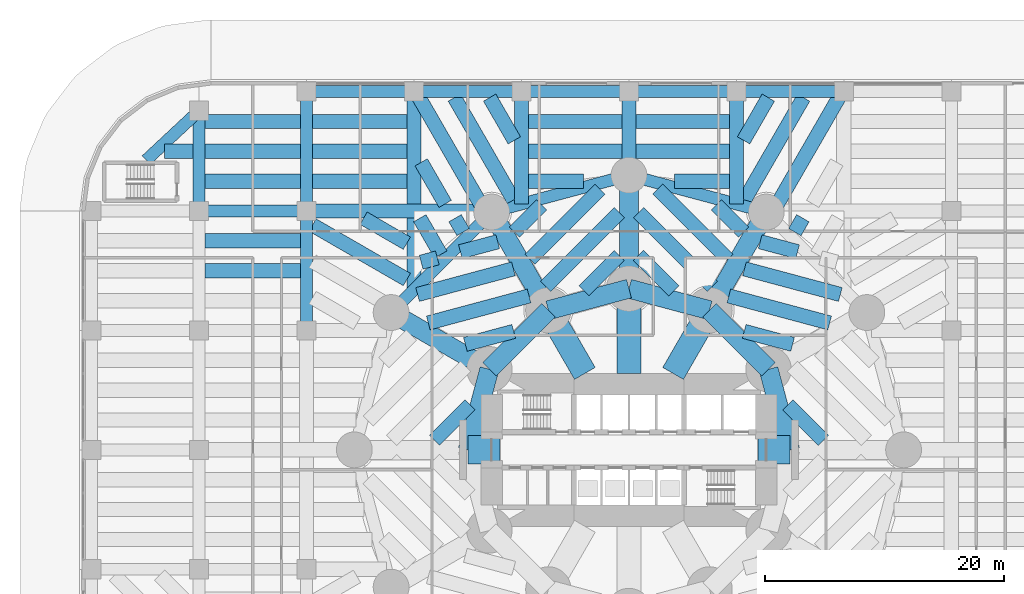
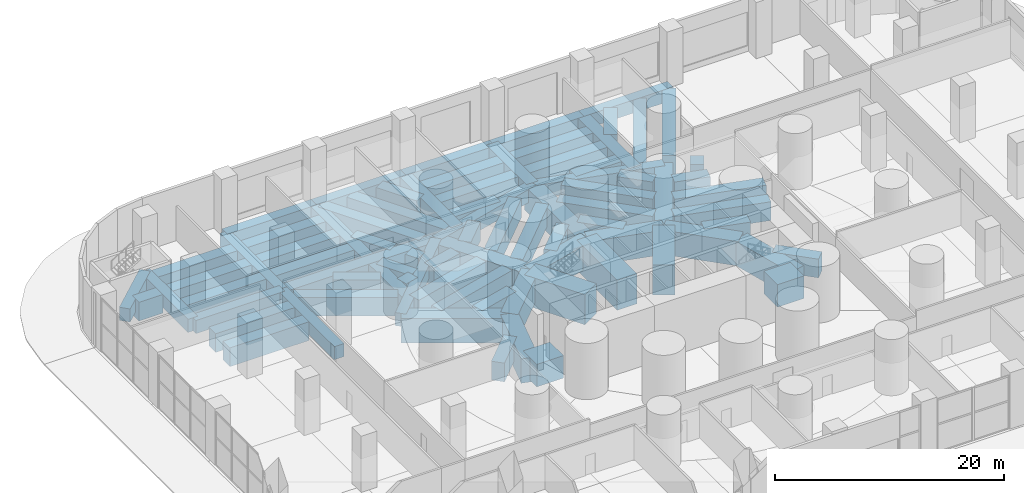
# One storey, part 7 of 20: 79 beams.
"""IFC4 building model written with IfcOpenShell, lengths in metres."""

from ifc_helpers import new_model, si_unit, direction, frame, origin, origin_2d, place, context, subcontext, project, spatial, rectangle, extrude, material, material_profile, profile_set, type_object, element, save


model = new_model("IFC4")

# Units and contexts
model_context = context("Model", 3, precision=1e-05, world=origin(), true_north=direction((0.0, 1.0)))
body_context = subcontext(model_context, "Body", "Model", "MODEL_VIEW")
ifc_project = project(units=[si_unit("LENGTHUNIT", "METRE"), si_unit("AREAUNIT", "SQUARE_METRE"), si_unit("VOLUMEUNIT", "CUBIC_METRE"), si_unit("PLANEANGLEUNIT", "RADIAN"), si_unit("MASSUNIT", "GRAM", prefix="KILO")], contexts=[model_context])

# Site, building, storey
site_placement = place(None, origin())
site = spatial("IfcSite", under=ifc_project, at=site_placement, CompositionType="ELEMENT")
building_placement = place(site_placement, origin())
building = spatial("IfcBuilding", under=site, at=building_placement, Name="Qaws Media Tower", CompositionType="ELEMENT")
storey_placement = place(building_placement, origin())
storey = spatial("IfcBuildingStorey", under=building, at=storey_placement, Name="L00", CompositionType="ELEMENT", Elevation=0.0)

# Beams
ifc_material_1 = material(Name="Concrete C60/75", Category="concrete")
ifc_material_profile_1 = material_profile(ifc_material_1, rectangle(XDim=2.0, YDim=3.199951171875, at=origin_2d()), Name="RC 2000x3200")
ifc_profile_set_1 = profile_set([ifc_material_profile_1], Name="Concrete C60/75")
beam_type_1 = type_object("IfcBeamType", Name="Podium core beam RC 2000x3200", PredefinedType="BEAM", material=ifc_profile_set_1)
beam_1_placement = place(storey_placement, frame((63.695068359375, 56.39990234375, -1.89990234375), z_axis=(0.49998532359, 0.866033877048, 0.0), x_axis=(-0.866033877048, 0.49998532359, 0.0)))
element("IfcBeam", 1, at=beam_1_placement, inside=storey, type_object=beam_type_1, Name="PB14 beam CORE-I03", PredefinedType="BEAM", context=body_context, shape_type="SweptSolid", body=[
    extrude(rectangle(XDim=2.0, YDim=3.199951171875, at=origin_2d()), origin(), (0.0, 0.0, 1.0), 6.110107421875),
])
beam_2_placement = place(storey_placement, frame((60.0, 56.39990234375, -1.89990234375), z_axis=(0.0, 1.0, 0.0), x_axis=(-1.0, 0.0, 0.0)))
element("IfcBeam", 2, at=beam_2_placement, inside=storey, type_object=beam_type_1, Name="PB14 beam CORE-I04", PredefinedType="BEAM", context=body_context, shape_type="SweptSolid", body=[
    extrude(rectangle(XDim=2.0, YDim=3.199951171875, at=origin_2d()), origin(), (0.0, 0.0, 1.0), 7.10009765625),
])
beam_3_placement = place(storey_placement, frame((56.304931640625, 56.39990234375, -1.89990234375), z_axis=(-0.49998532359, 0.866033877048, 0.0), x_axis=(-0.866033877048, -0.49998532359, 0.0)))
element("IfcBeam", 3, at=beam_3_placement, inside=storey, type_object=beam_type_1, Name="PB14 beam CORE-I05", PredefinedType="BEAM", context=body_context, shape_type="SweptSolid", body=[
    extrude(rectangle(XDim=2.0, YDim=3.199951171875, at=origin_2d()), origin(), (0.0, 0.0, 1.0), 6.110107421875),
])
ifc_material_2 = material(Name="Concrete C60/75", Category="concrete")
ifc_material_profile_2 = material_profile(ifc_material_2, rectangle(XDim=2.39990234375, YDim=2.39990234375, at=origin_2d()), Name="RC 2400x2400")
ifc_profile_set_2 = profile_set([ifc_material_profile_2], Name="Concrete C60/75")
beam_type_2 = type_object("IfcBeamType", Name="Podium core stub beam RC 2400x2400", PredefinedType="BEAM", material=ifc_profile_set_2)
for number, where, z_axis, x_axis, name in (
    (4, (70.800048828125, 50.0, -1.5), (1.0, 0.0, 0.0), (0.0, 1.0, 0.0), "PB15 beam CORE-I01"),
    (5, (49.199951171875, 50.0, -1.5), (-1.0, 0.0, 0.0), (0.0, -1.0, 0.0), "PB15 beam CORE-I07"),
):
    element("IfcBeam", number, at=place(storey_placement, frame(where, z_axis=z_axis, x_axis=x_axis)), inside=storey, type_object=beam_type_2, Name=name, PredefinedType="BEAM", context=body_context, shape_type="SweptSolid", body=[
        extrude(rectangle(XDim=2.39990234375, YDim=2.39990234375, at=origin_2d()), origin(), (0.0, 0.0, 1.0), 2.699951171875),
    ])
ifc_material_3 = material(Name="Concrete C60/75", Category="concrete")
ifc_material_profile_3 = material_profile(ifc_material_3, rectangle(XDim=1.0, YDim=1.39990234375, at=origin_2d()), Name="RC 1000x1400")
ifc_profile_set_3 = profile_set([ifc_material_profile_3], Name="Concrete C60/75")
beam_type_3 = type_object("IfcBeamType", Name="Podium edge beam RC 1000x1400", PredefinedType="BEAM", material=ifc_profile_set_3)
for number, where, z_axis, x_axis, name in (
    (6, (71.5, 69.918701171875, -1.0), (-0.965928280645, 0.258809885148, 0.0), (-0.258809885148, -0.965928280645, 0.0), "PB3 beam M03-M04"),
    (7, (60.0, 73.0, -1.0), (-0.965928280645, -0.258809885148, 0.0), (0.258809885148, -0.965928280645, 0.0), "PB3 beam M04-M05"),
    (8, (48.5, 69.918701171875, -1.0), (-0.707106781187, -0.707106781187, 0.0), (0.707106781187, -0.707106781187, 0.0), "PB3 beam M05-M06"),
):
    element("IfcBeam", number, at=place(storey_placement, frame(where, z_axis=z_axis, x_axis=x_axis)), inside=storey, type_object=beam_type_3, Name=name, PredefinedType="BEAM", context=body_context, shape_type="SweptSolid", body=[
        extrude(rectangle(XDim=1.0, YDim=1.39990234375, at=origin_2d()), origin(), (0.0, 0.0, 1.0), 11.90576171875),
    ])
ifc_material_4 = material(Name="Concrete C60/75", Category="concrete")
ifc_material_profile_4 = material_profile(ifc_material_4, rectangle(XDim=1.0, YDim=1.39990234375, at=origin_2d()), Name="RC 1000x1400")
ifc_profile_set_4 = profile_set([ifc_material_profile_4], Name="Concrete C60/75")
beam_type_4 = type_object("IfcBeamType", Name="Podium girder RC 1000x1400", PredefinedType="BEAM", material=ifc_profile_set_4)
for number, where, z_axis, x_axis, name in (
    (9, (24.0, 70.0, -1.0), (1.0, 0.0, 0.0), (0.0, 1.0, 0.0), "PB5 beam 2-3/F"),
    (10, (33.0, 80.0, -1.0), (1.0, 0.0, 0.0), (0.0, 1.0, 0.0), "PB5 beam 3-4/G"),
    (11, (42.0, 80.0, -1.0), (1.0, 0.0, 0.0), (0.0, 1.0, 0.0), "PB5 beam 4-5/G"),
    (12, (51.0, 80.0, -1.0), (1.0, 0.0, 0.0), (0.0, 1.0, 0.0), "PB5 beam 5-6/G"),
    (13, (60.0, 80.0, -1.0), (1.0, 0.0, 0.0), (0.0, 1.0, 0.0), "PB5 beam 6-7/G"),
    (14, (69.0, 80.0, -1.0), (1.0, 0.0, 0.0), (0.0, 1.0, 0.0), "PB5 beam 7-8/G"),
):
    element("IfcBeam", number, at=place(storey_placement, frame(where, z_axis=z_axis, x_axis=x_axis)), inside=storey, type_object=beam_type_4, Name=name, PredefinedType="BEAM", context=body_context, shape_type="SweptSolid", body=[
        extrude(rectangle(XDim=1.0, YDim=1.39990234375, at=origin_2d()), origin(), (0.0, 0.0, 1.0), 9.0),
    ])
beam_4_placement = place(storey_placement, frame((24.0, 70.0, -1.0), z_axis=(0.0, 1.0, 0.0), x_axis=(-1.0, 0.0, 0.0)))
element("IfcBeam", 15, at=beam_4_placement, inside=storey, type_object=beam_type_4, Name="PB5 beam 2/F-G", PredefinedType="BEAM", context=body_context, shape_type="SweptSolid", body=[
    extrude(rectangle(XDim=1.0, YDim=1.39990234375, at=origin_2d()), origin(), (0.0, 0.0, 1.0), 8.39990234375),
])
for number, where, z_axis, x_axis, name in (
    (16, (33.0, 60.0, -1.0), (0.0, 1.0, 0.0), (-1.0, 0.0, 0.0), "PB5 beam 3/E-F"),
    (17, (33.0, 70.0, -1.0), (0.0, 1.0, 0.0), (-1.0, 0.0, 0.0), "PB5 beam 3/F-G"),
):
    element("IfcBeam", number, at=place(storey_placement, frame(where, z_axis=z_axis, x_axis=x_axis)), inside=storey, type_object=beam_type_4, Name=name, PredefinedType="BEAM", context=body_context, shape_type="SweptSolid", body=[
        extrude(rectangle(XDim=1.0, YDim=1.39990234375, at=origin_2d()), origin(), (0.0, 0.0, 1.0), 10.0),
    ])
beam_5_placement = place(storey_placement, frame((19.5732421875, 74.268310546875, -1.0), z_axis=(0.731059290527, 0.682313940745, 0.0), x_axis=(-0.682313940745, 0.731059290527, 0.0)))
element("IfcBeam", 18, at=beam_5_placement, inside=storey, type_object=beam_type_4, Name="PB5 beam S3-2/G", PredefinedType="BEAM", context=body_context, shape_type="SweptSolid", body=[
    extrude(rectangle(XDim=1.0, YDim=1.39990234375, at=origin_2d()), origin(), (0.0, 0.0, 1.0), 6.05517578125),
])
ifc_material_5 = material(Name="Concrete C60/75", Category="concrete")
ifc_material_profile_5 = material_profile(ifc_material_5, rectangle(XDim=1.199951171875, YDim=2.0, at=origin_2d()), Name="RC 1200x2000")
ifc_profile_set_5 = profile_set([ifc_material_profile_5], Name="Concrete C60/75")
beam_type_5 = type_object("IfcBeamType", Name="Podium long trimmer beam RC 1200x2000", PredefinedType="BEAM", material=ifc_profile_set_5)
beam_6_placement = place(storey_placement, frame((33.0, 70.0, -1.300048828125), z_axis=(1.0, 0.0, 0.0), x_axis=(0.0, 1.0, 0.0)))
element("IfcBeam", 19, at=beam_6_placement, inside=storey, type_object=beam_type_5, Name="PB11 beam 3/F to the tower ring", PredefinedType="BEAM", context=body_context, shape_type="SweptSolid", body=[
    extrude(rectangle(XDim=1.199951171875, YDim=2.0, at=origin_2d()), origin(), (0.0, 0.0, 1.0), 15.803955078125),
])
beam_7_placement = place(storey_placement, frame((42.0, 80.0, -1.300048828125), z_axis=(0.0, -1.0, 0.0), x_axis=(1.0, 0.0, 0.0)))
element("IfcBeam", 20, at=beam_7_placement, inside=storey, type_object=beam_type_5, Name="PB11 beam 4/G to the tower ring", PredefinedType="BEAM", context=body_context, shape_type="SweptSolid", body=[
    extrude(rectangle(XDim=1.199951171875, YDim=2.0, at=origin_2d()), origin(), (0.0, 0.0, 1.0), 16.581298828125),
])
ifc_material_6 = material(Name="Concrete C60/75", Category="concrete")
ifc_material_profile_6 = material_profile(ifc_material_6, rectangle(XDim=1.199951171875, YDim=2.0, at=origin_2d()), Name="RC 1200x2000")
ifc_profile_set_6 = profile_set([ifc_material_profile_6], Name="Concrete C60/75")
beam_type_6 = type_object("IfcBeamType", Name="Podium secondary beam RC 1200x2000", PredefinedType="BEAM", material=ifc_profile_set_6)
beam_8_placement = place(storey_placement, frame((21.08984375, 75.0, -1.300048828125), z_axis=(1.0, 0.0, 0.0), x_axis=(0.0, 1.0, 0.0)))
element("IfcBeam", 21, at=beam_8_placement, inside=storey, type_object=beam_type_6, Name="PB7 beam bay 1F line 1", PredefinedType="BEAM", context=body_context, shape_type="SweptSolid", body=[
    extrude(rectangle(XDim=1.199951171875, YDim=2.0, at=origin_2d()), origin(), (0.0, 0.0, 1.0), 2.41015625),
])
for number, where, z_axis, x_axis, name in (
    (22, (24.5, 65.0, -1.300048828125), (1.0, 0.0, 0.0), (0.0, 1.0, 0.0), "PB7 beam bay 2E line 2"),
    (23, (24.5, 67.5, -1.300048828125), (1.0, 0.0, 0.0), (0.0, 1.0, 0.0), "PB7 beam bay 2E line 3"),
    (24, (24.5, 72.5, -1.300048828125), (1.0, 0.0, 0.0), (0.0, 1.0, 0.0), "PB7 beam bay 2F line 1"),
    (25, (24.5, 75.0, -1.300048828125), (1.0, 0.0, 0.0), (0.0, 1.0, 0.0), "PB7 beam bay 2F line 2"),
    (26, (24.5, 77.5, -1.300048828125), (1.0, 0.0, 0.0), (0.0, 1.0, 0.0), "PB7 beam bay 2F line 3"),
):
    element("IfcBeam", number, at=place(storey_placement, frame(where, z_axis=z_axis, x_axis=x_axis)), inside=storey, type_object=beam_type_6, Name=name, PredefinedType="BEAM", context=body_context, shape_type="SweptSolid", body=[
        extrude(rectangle(XDim=1.199951171875, YDim=2.0, at=origin_2d()), origin(), (0.0, 0.0, 1.0), 8.0),
    ])
beam_9_placement = place(storey_placement, frame((41.39990234375, 67.30712890625, -1.300048828125), z_axis=(-0.866023369196, 0.500003523994, 0.0), x_axis=(-0.500003523994, -0.866023369196, 0.0)))
element("IfcBeam", 27, at=beam_9_placement, inside=storey, type_object=beam_type_6, Name="PB7 beam bay 3E line 1", PredefinedType="BEAM", context=body_context, shape_type="SweptSolid", body=[
    extrude(rectangle(XDim=1.199951171875, YDim=2.0, at=origin_2d()), origin(), (0.0, 0.0, 1.0), 4.185546875),
])
beam_10_placement = place(storey_placement, frame((41.39990234375, 64.26806640625, -1.300048828125), z_axis=(-0.866024244995, 0.500002007077, 0.0), x_axis=(-0.500002007077, -0.866024244995, 0.0)))
element("IfcBeam", 28, at=beam_10_placement, inside=storey, type_object=beam_type_6, Name="PB7 beam bay 3E line 2", PredefinedType="BEAM", context=body_context, shape_type="SweptSolid", body=[
    extrude(rectangle(XDim=1.199951171875, YDim=2.0, at=origin_2d()), origin(), (0.0, 0.0, 1.0), 9.1220703125),
])
for number, where, z_axis, x_axis, name in (
    (29, (33.5, 72.5, -1.300048828125), (1.0, 0.0, 0.0), (0.0, 1.0, 0.0), "PB7 beam bay 3F line 1"),
    (30, (33.5, 75.0, -1.300048828125), (1.0, 0.0, 0.0), (0.0, 1.0, 0.0), "PB7 beam bay 3F line 2"),
    (31, (33.5, 77.5, -1.300048828125), (1.0, 0.0, 0.0), (0.0, 1.0, 0.0), "PB7 beam bay 3F line 3"),
):
    element("IfcBeam", number, at=place(storey_placement, frame(where, z_axis=z_axis, x_axis=x_axis)), inside=storey, type_object=beam_type_6, Name=name, PredefinedType="BEAM", context=body_context, shape_type="SweptSolid", body=[
        extrude(rectangle(XDim=1.199951171875, YDim=2.0, at=origin_2d()), origin(), (0.0, 0.0, 1.0), 7.89990234375),
    ])
beam_11_placement = place(storey_placement, frame((46.109619140625, 68.235107421875, -1.300048828125), z_axis=(-0.500062873969, 0.865989100438, 0.0), x_axis=(-0.865989100438, -0.500062873969, 0.0)))
element("IfcBeam", 32, at=beam_11_placement, inside=storey, type_object=beam_type_6, Name="PB7 beam bay 4E line 1", PredefinedType="BEAM", context=body_context, shape_type="SweptSolid", body=[
    extrude(rectangle(XDim=1.199951171875, YDim=2.0, at=origin_2d()), origin(), (0.0, 0.0, 1.0), 1.344970703125),
])
beam_12_placement = place(storey_placement, frame((44.236328125, 66.362060546875, -1.300048828125), z_axis=(-0.500001597329, 0.866024481564, 0.0), x_axis=(-0.866024481564, -0.500001597329, 0.0)))
element("IfcBeam", 33, at=beam_12_placement, inside=storey, type_object=beam_type_6, Name="PB7 beam bay 4E line 2", PredefinedType="BEAM", context=body_context, shape_type="SweptSolid", body=[
    extrude(rectangle(XDim=1.199951171875, YDim=2.0, at=origin_2d()), origin(), (0.0, 0.0, 1.0), 3.5078125),
])
beam_13_placement = place(storey_placement, frame((50.39990234375, 75.921630859375, -1.300048828125), z_axis=(-0.499990122378, 0.866031106557, 0.0), x_axis=(-0.866031106557, -0.499990122378, 0.0)))
element("IfcBeam", 34, at=beam_13_placement, inside=storey, type_object=beam_type_6, Name="PB7 beam bay 4F line 1", PredefinedType="BEAM", context=body_context, shape_type="SweptSolid", body=[
    extrude(rectangle(XDim=1.199951171875, YDim=2.0, at=origin_2d()), origin(), (0.0, 0.0, 1.0), 4.1318359375),
])
beam_14_placement = place(storey_placement, frame((50.329345703125, 70.92626953125, -1.300048828125), z_axis=(-0.499992846816, 0.866029533637, 0.0), x_axis=(-0.866029533637, -0.499992846816, 0.0)))
element("IfcBeam", 35, at=beam_14_placement, inside=storey, type_object=beam_type_6, Name="PB7 beam bay 4F line 2", PredefinedType="BEAM", context=body_context, shape_type="SweptSolid", body=[
    extrude(rectangle(XDim=1.199951171875, YDim=2.0, at=origin_2d()), origin(), (0.0, 0.0, 1.0), 9.900146484375),
])
beam_15_placement = place(storey_placement, frame((47.56298828125, 70.60009765625, -1.300048828125), z_axis=(-0.500004869266, 0.866022592494, 0.0), x_axis=(-0.866022592494, -0.500004869266, 0.0)))
element("IfcBeam", 36, at=beam_15_placement, inside=storey, type_object=beam_type_6, Name="PB7 beam bay 4F line 3", PredefinedType="BEAM", context=body_context, shape_type="SweptSolid", body=[
    extrude(rectangle(XDim=1.199951171875, YDim=2.0, at=origin_2d()), origin(), (0.0, 0.0, 1.0), 10.27685546875),
])
beam_16_placement = place(storey_placement, frame((44.6083984375, 70.60009765625, -1.300048828125), z_axis=(-0.500022371132, 0.86601248742, 0.0), x_axis=(-0.86601248742, -0.500022371132, 0.0)))
element("IfcBeam", 37, at=beam_16_placement, inside=storey, type_object=beam_type_6, Name="PB7 beam bay 4F line 4", PredefinedType="BEAM", context=body_context, shape_type="SweptSolid", body=[
    extrude(rectangle(XDim=1.199951171875, YDim=2.0, at=origin_2d()), origin(), (0.0, 0.0, 1.0), 4.016357421875),
])
beam_17_placement = place(storey_placement, frame((51.60009765625, 72.5, -1.300048828125), z_axis=(1.0, 0.0, 0.0), x_axis=(0.0, 1.0, 0.0)))
element("IfcBeam", 38, at=beam_17_placement, inside=storey, type_object=beam_type_6, Name="PB7 beam bay 5F line 1", PredefinedType="BEAM", context=body_context, shape_type="SweptSolid", body=[
    extrude(rectangle(XDim=1.199951171875, YDim=2.0, at=origin_2d()), origin(), (0.0, 0.0, 1.0), 4.60205078125),
])
for number, where, z_axis, x_axis, name in (
    (39, (51.60009765625, 75.0, -1.300048828125), (1.0, 0.0, 0.0), (0.0, 1.0, 0.0), "PB7 beam bay 5F line 2"),
    (40, (51.60009765625, 77.5, -1.300048828125), (1.0, 0.0, 0.0), (0.0, 1.0, 0.0), "PB7 beam bay 5F line 3"),
):
    element("IfcBeam", number, at=place(storey_placement, frame(where, z_axis=z_axis, x_axis=x_axis)), inside=storey, type_object=beam_type_6, Name=name, PredefinedType="BEAM", context=body_context, shape_type="SweptSolid", body=[
        extrude(rectangle(XDim=1.199951171875, YDim=2.0, at=origin_2d()), origin(), (0.0, 0.0, 1.0), 7.7998046875),
    ])
beam_18_placement = place(storey_placement, frame((63.7978515625, 72.5, -1.300048828125), z_axis=(1.0, 0.0, 0.0), x_axis=(0.0, 1.0, 0.0)))
element("IfcBeam", 41, at=beam_18_placement, inside=storey, type_object=beam_type_6, Name="PB7 beam bay 6F line 1", PredefinedType="BEAM", context=body_context, shape_type="SweptSolid", body=[
    extrude(rectangle(XDim=1.199951171875, YDim=2.0, at=origin_2d()), origin(), (0.0, 0.0, 1.0), 4.60205078125),
])
for number, where, z_axis, x_axis, name in (
    (42, (60.60009765625, 75.0, -1.300048828125), (1.0, 0.0, 0.0), (0.0, 1.0, 0.0), "PB7 beam bay 6F line 2"),
    (43, (60.60009765625, 77.5, -1.300048828125), (1.0, 0.0, 0.0), (0.0, 1.0, 0.0), "PB7 beam bay 6F line 3"),
):
    element("IfcBeam", number, at=place(storey_placement, frame(where, z_axis=z_axis, x_axis=x_axis)), inside=storey, type_object=beam_type_6, Name=name, PredefinedType="BEAM", context=body_context, shape_type="SweptSolid", body=[
        extrude(rectangle(XDim=1.199951171875, YDim=2.0, at=origin_2d()), origin(), (0.0, 0.0, 1.0), 7.7998046875),
    ])
beam_19_placement = place(storey_placement, frame((73.890380859375, 68.235107421875, -1.300048828125), z_axis=(0.500062873969, 0.865989100438, 0.0), x_axis=(-0.865989100438, 0.500062873969, 0.0)))
element("IfcBeam", 44, at=beam_19_placement, inside=storey, type_object=beam_type_6, Name="PB7 beam bay 7E line 2", PredefinedType="BEAM", context=body_context, shape_type="SweptSolid", body=[
    extrude(rectangle(XDim=1.199951171875, YDim=2.0, at=origin_2d()), origin(), (0.0, 0.0, 1.0), 1.344970703125),
])
beam_20_placement = place(storey_placement, frame((72.43701171875, 70.60009765625, -1.300048828125), z_axis=(0.500004869266, 0.866022592494, 0.0), x_axis=(-0.866022592494, 0.500004869266, 0.0)))
element("IfcBeam", 45, at=beam_20_placement, inside=storey, type_object=beam_type_6, Name="PB7 beam bay 7F line 2", PredefinedType="BEAM", context=body_context, shape_type="SweptSolid", body=[
    extrude(rectangle(XDim=1.199951171875, YDim=2.0, at=origin_2d()), origin(), (0.0, 0.0, 1.0), 10.27685546875),
])
beam_21_placement = place(storey_placement, frame((69.670654296875, 70.92626953125, -1.300048828125), z_axis=(0.499992846816, 0.866029533637, 0.0), x_axis=(-0.866029533637, 0.499992846816, 0.0)))
element("IfcBeam", 46, at=beam_21_placement, inside=storey, type_object=beam_type_6, Name="PB7 beam bay 7F line 3", PredefinedType="BEAM", context=body_context, shape_type="SweptSolid", body=[
    extrude(rectangle(XDim=1.199951171875, YDim=2.0, at=origin_2d()), origin(), (0.0, 0.0, 1.0), 9.900146484375),
])
beam_22_placement = place(storey_placement, frame((69.60009765625, 75.921630859375, -1.300048828125), z_axis=(0.499990122378, 0.866031106557, 0.0), x_axis=(-0.866031106557, 0.499990122378, 0.0)))
element("IfcBeam", 47, at=beam_22_placement, inside=storey, type_object=beam_type_6, Name="PB7 beam bay 7F line 4", PredefinedType="BEAM", context=body_context, shape_type="SweptSolid", body=[
    extrude(rectangle(XDim=1.199951171875, YDim=2.0, at=origin_2d()), origin(), (0.0, 0.0, 1.0), 4.1318359375),
])
beam_23_placement = place(storey_placement, frame((76.28369140625, 50.800048828125, -1.300048828125), z_axis=(-0.707106781187, 0.707106781187, 0.0), x_axis=(-0.707106781187, -0.707106781187, 0.0)))
element("IfcBeam", 48, at=beam_23_placement, inside=storey, type_object=beam_type_6, Name="PB7 beam bay T01 line 4", PredefinedType="BEAM", context=body_context, shape_type="SweptSolid", body=[
    extrude(rectangle(XDim=1.199951171875, YDim=2.0, at=origin_2d()), origin(), (0.0, 0.0, 1.0), 4.19189453125),
])
beam_24_placement = place(storey_placement, frame((74.11767578125, 66.59375, -1.300048828125), z_axis=(-0.965936615722, 0.258778775034, 0.0), x_axis=(-0.258778775034, -0.965936615722, 0.0)))
element("IfcBeam", 49, at=beam_24_placement, inside=storey, type_object=beam_type_6, Name="PB7 beam bay T02 line 2", PredefinedType="BEAM", context=body_context, shape_type="SweptSolid", body=[
    extrude(rectangle(XDim=1.199951171875, YDim=2.0, at=origin_2d()), origin(), (0.0, 0.0, 1.0), 3.23974609375),
])
beam_25_placement = place(storey_placement, frame((77.701416015625, 63.010009765625, -1.300048828125), z_axis=(-0.965929425695, 0.258805611564, 0.0), x_axis=(-0.258805611564, -0.965929425695, 0.0)))
element("IfcBeam", 50, at=beam_25_placement, inside=storey, type_object=beam_type_6, Name="PB7 beam bay T02 line 3", PredefinedType="BEAM", context=body_context, shape_type="SweptSolid", body=[
    extrude(rectangle(XDim=1.199951171875, YDim=2.0, at=origin_2d()), origin(), (0.0, 0.0, 1.0), 8.307861328125),
])
beam_26_placement = place(storey_placement, frame((76.8056640625, 60.62646484375, -1.300048828125), z_axis=(-0.965926352771, 0.258817080236, 0.0), x_axis=(-0.258817080236, -0.965926352771, 0.0)))
element("IfcBeam", 51, at=beam_26_placement, inside=storey, type_object=beam_type_6, Name="PB7 beam bay T02 line 4", PredefinedType="BEAM", context=body_context, shape_type="SweptSolid", body=[
    extrude(rectangle(XDim=1.199951171875, YDim=2.0, at=origin_2d()), origin(), (0.0, 0.0, 1.0), 8.73876953125),
])
beam_27_placement = place(storey_placement, frame((73.7021484375, 58.834716796875, -1.300048828125), z_axis=(-0.96592491418, 0.258822449118, 0.0), x_axis=(-0.258822449118, -0.96592491418, 0.0)))
element("IfcBeam", 52, at=beam_27_placement, inside=storey, type_object=beam_type_6, Name="PB7 beam bay T02 line 5", PredefinedType="BEAM", context=body_context, shape_type="SweptSolid", body=[
    extrude(rectangle(XDim=1.199951171875, YDim=2.0, at=origin_2d()), origin(), (0.0, 0.0, 1.0), 4.19189453125),
])
beam_28_placement = place(storey_placement, frame((69.6025390625, 68.232177734375, -1.300048828125), z_axis=(-0.707069101983, 0.707144458383, 0.0), x_axis=(-0.707144458383, -0.707069101983, 0.0)))
element("IfcBeam", 53, at=beam_28_placement, inside=storey, type_object=beam_type_6, Name="PB7 beam bay T03 line 1", PredefinedType="BEAM", context=body_context, shape_type="SweptSolid", body=[
    extrude(rectangle(XDim=1.199951171875, YDim=2.0, at=origin_2d()), origin(), (0.0, 0.0, 1.0), 3.23974609375),
])
beam_29_placement = place(storey_placement, frame((68.291015625, 65.960205078125, -1.300048828125), z_axis=(-0.707106781187, 0.707106781187, 0.0), x_axis=(-0.707106781187, -0.707106781187, 0.0)))
element("IfcBeam", 54, at=beam_29_placement, inside=storey, type_object=beam_type_6, Name="PB7 beam bay T03 line 2", PredefinedType="BEAM", context=body_context, shape_type="SweptSolid", body=[
    extrude(rectangle(XDim=1.199951171875, YDim=2.0, at=origin_2d()), origin(), (0.0, 0.0, 1.0), 8.30810546875),
])
beam_30_placement = place(storey_placement, frame((66.979248046875, 63.688232421875, -1.300048828125), z_axis=(-0.707106781187, 0.707106781187, 0.0), x_axis=(-0.707106781187, -0.707106781187, 0.0)))
element("IfcBeam", 55, at=beam_30_placement, inside=storey, type_object=beam_type_6, Name="PB7 beam bay T03 line 3", PredefinedType="BEAM", context=body_context, shape_type="SweptSolid", body=[
    extrude(rectangle(XDim=1.199951171875, YDim=2.0, at=origin_2d()), origin(), (0.0, 0.0, 1.0), 8.73876953125),
])
for number, where, z_axis, x_axis, name in (
    (56, (63.76416015625, 63.319580078125, -1.300048828125), (-0.707106781187, 0.707106781187, 0.0), (-0.707106781187, -0.707106781187, 0.0), "PB7 beam bay T03 line 4"),
    (57, (56.23583984375, 63.319580078125, -1.300048828125), (0.707106781187, 0.707106781187, 0.0), (-0.707106781187, 0.707106781187, 0.0), "PB7 beam bay T04 line 1"),
):
    element("IfcBeam", number, at=place(storey_placement, frame(where, z_axis=z_axis, x_axis=x_axis)), inside=storey, type_object=beam_type_6, Name=name, PredefinedType="BEAM", context=body_context, shape_type="SweptSolid", body=[
        extrude(rectangle(XDim=1.199951171875, YDim=2.0, at=origin_2d()), origin(), (0.0, 0.0, 1.0), 4.19189453125),
    ])
beam_31_placement = place(storey_placement, frame((53.020751953125, 63.688232421875, -1.300048828125), z_axis=(0.707106781187, 0.707106781187, 0.0), x_axis=(-0.707106781187, 0.707106781187, 0.0)))
element("IfcBeam", 58, at=beam_31_placement, inside=storey, type_object=beam_type_6, Name="PB7 beam bay T04 line 2", PredefinedType="BEAM", context=body_context, shape_type="SweptSolid", body=[
    extrude(rectangle(XDim=1.199951171875, YDim=2.0, at=origin_2d()), origin(), (0.0, 0.0, 1.0), 8.73876953125),
])
beam_32_placement = place(storey_placement, frame((51.708984375, 65.960205078125, -1.300048828125), z_axis=(0.707106781187, 0.707106781187, 0.0), x_axis=(-0.707106781187, 0.707106781187, 0.0)))
element("IfcBeam", 59, at=beam_32_placement, inside=storey, type_object=beam_type_6, Name="PB7 beam bay T04 line 3", PredefinedType="BEAM", context=body_context, shape_type="SweptSolid", body=[
    extrude(rectangle(XDim=1.199951171875, YDim=2.0, at=origin_2d()), origin(), (0.0, 0.0, 1.0), 8.30810546875),
])
beam_33_placement = place(storey_placement, frame((50.3974609375, 68.232177734375, -1.300048828125), z_axis=(0.707069101983, 0.707144458383, 0.0), x_axis=(-0.707144458383, 0.707069101983, 0.0)))
element("IfcBeam", 60, at=beam_33_placement, inside=storey, type_object=beam_type_6, Name="PB7 beam bay T04 line 4", PredefinedType="BEAM", context=body_context, shape_type="SweptSolid", body=[
    extrude(rectangle(XDim=1.199951171875, YDim=2.0, at=origin_2d()), origin(), (0.0, 0.0, 1.0), 3.23974609375),
])
beam_34_placement = place(storey_placement, frame((46.2978515625, 58.834716796875, -1.300048828125), z_axis=(0.96592491418, 0.258822449118, 0.0), x_axis=(-0.258822449118, 0.96592491418, 0.0)))
element("IfcBeam", 61, at=beam_34_placement, inside=storey, type_object=beam_type_6, Name="PB7 beam bay T05 line 1", PredefinedType="BEAM", context=body_context, shape_type="SweptSolid", body=[
    extrude(rectangle(XDim=1.199951171875, YDim=2.0, at=origin_2d()), origin(), (0.0, 0.0, 1.0), 4.19189453125),
])
beam_35_placement = place(storey_placement, frame((43.1943359375, 60.62646484375, -1.300048828125), z_axis=(0.965926352771, 0.258817080236, 0.0), x_axis=(-0.258817080236, 0.965926352771, 0.0)))
element("IfcBeam", 62, at=beam_35_placement, inside=storey, type_object=beam_type_6, Name="PB7 beam bay T05 line 2", PredefinedType="BEAM", context=body_context, shape_type="SweptSolid", body=[
    extrude(rectangle(XDim=1.199951171875, YDim=2.0, at=origin_2d()), origin(), (0.0, 0.0, 1.0), 8.73876953125),
])
beam_36_placement = place(storey_placement, frame((42.298583984375, 63.010009765625, -1.300048828125), z_axis=(0.965929425695, 0.258805611564, 0.0), x_axis=(-0.258805611564, 0.965929425695, 0.0)))
element("IfcBeam", 63, at=beam_36_placement, inside=storey, type_object=beam_type_6, Name="PB7 beam bay T05 line 3", PredefinedType="BEAM", context=body_context, shape_type="SweptSolid", body=[
    extrude(rectangle(XDim=1.199951171875, YDim=2.0, at=origin_2d()), origin(), (0.0, 0.0, 1.0), 8.307861328125),
])
beam_37_placement = place(storey_placement, frame((42.60009765625, 65.714111328125, -1.300048828125), z_axis=(0.965927004363, 0.25881464843, 0.0), x_axis=(-0.25881464843, 0.965927004363, 0.0)))
element("IfcBeam", 64, at=beam_37_placement, inside=storey, type_object=beam_type_6, Name="PB7 beam bay T05 line 4", PredefinedType="BEAM", context=body_context, shape_type="SweptSolid", body=[
    extrude(rectangle(XDim=1.199951171875, YDim=2.0, at=origin_2d()), origin(), (0.0, 0.0, 1.0), 1.39794921875),
])
beam_38_placement = place(storey_placement, frame((45.88232421875, 66.59375, -1.300048828125), z_axis=(0.965936615722, 0.258778775034, 0.0), x_axis=(-0.258778775034, 0.965936615722, 0.0)))
element("IfcBeam", 65, at=beam_38_placement, inside=storey, type_object=beam_type_6, Name="PB7 beam bay T05 line 5", PredefinedType="BEAM", context=body_context, shape_type="SweptSolid", body=[
    extrude(rectangle(XDim=1.199951171875, YDim=2.0, at=origin_2d()), origin(), (0.0, 0.0, 1.0), 3.23974609375),
])
beam_39_placement = place(storey_placement, frame((43.71630859375, 50.800048828125, -1.300048828125), z_axis=(0.707106781187, 0.707106781187, 0.0), x_axis=(-0.707106781187, 0.707106781187, 0.0)))
element("IfcBeam", 66, at=beam_39_placement, inside=storey, type_object=beam_type_6, Name="PB7 beam bay T06 line 1", PredefinedType="BEAM", context=body_context, shape_type="SweptSolid", body=[
    extrude(rectangle(XDim=1.199951171875, YDim=2.0, at=origin_2d()), origin(), (0.0, 0.0, 1.0), 4.19189453125),
])
ifc_material_7 = material(Name="Concrete C60/75", Category="concrete")
ifc_material_profile_7 = material_profile(ifc_material_7, rectangle(XDim=1.60009765625, YDim=2.60009765625, at=origin_2d()), Name="RC 1600x2600")
ifc_profile_set_7 = profile_set([ifc_material_profile_7], Name="Concrete C60/75")
beam_type_7 = type_object("IfcBeamType", Name="Podium tower beam RC 1600x2600", PredefinedType="BEAM", material=ifc_profile_set_7)
beam_40_placement = place(storey_placement, frame((73.5, 50.0, -1.60009765625), z_axis=(-0.258810593767, 0.965928090778, 0.0), x_axis=(-0.965928090778, -0.258810593767, 0.0)))
element("IfcBeam", 67, at=beam_40_placement, inside=storey, type_object=beam_type_7, Name="PB9 beam I01-I02", PredefinedType="BEAM", context=body_context, shape_type="SweptSolid", body=[
    extrude(rectangle(XDim=1.60009765625, YDim=2.60009765625, at=origin_2d()), origin(), (0.0, 0.0, 1.0), 6.988037109375),
])
beam_41_placement = place(storey_placement, frame((71.69140625, 56.75, -1.60009765625), z_axis=(-0.707106781187, 0.707106781187, 0.0), x_axis=(-0.707106781187, -0.707106781187, 0.0)))
element("IfcBeam", 68, at=beam_41_placement, inside=storey, type_object=beam_type_7, Name="PB9 beam I02-I03", PredefinedType="BEAM", context=body_context, shape_type="SweptSolid", body=[
    extrude(rectangle(XDim=1.60009765625, YDim=2.60009765625, at=origin_2d()), origin(), (0.0, 0.0, 1.0), 6.98828125),
])
beam_42_placement = place(storey_placement, frame((66.75, 61.69140625, -1.60009765625), z_axis=(0.499997557548, 0.86602681393, 0.0), x_axis=(-0.86602681393, 0.499997557548, 0.0)))
element("IfcBeam", 69, at=beam_42_placement, inside=storey, type_object=beam_type_7, Name="PB9 beam I03-M03", PredefinedType="BEAM", context=body_context, shape_type="SweptSolid", body=[
    extrude(rectangle(XDim=1.60009765625, YDim=2.60009765625, at=origin_2d()), origin(), (0.0, 0.0, 1.0), 9.5),
])
beam_43_placement = place(storey_placement, frame((66.75, 61.69140625, -1.60009765625), z_axis=(-0.965928090778, 0.258810593767, 0.0), x_axis=(-0.258810593767, -0.965928090778, 0.0)))
element("IfcBeam", 70, at=beam_43_placement, inside=storey, type_object=beam_type_7, Name="PB9 beam I03-I04", PredefinedType="BEAM", context=body_context, shape_type="SweptSolid", body=[
    extrude(rectangle(XDim=1.60009765625, YDim=2.60009765625, at=origin_2d()), origin(), (0.0, 0.0, 1.0), 6.988037109375),
])
beam_44_placement = place(storey_placement, frame((60.0, 63.5, -1.60009765625), z_axis=(0.0, 1.0, 0.0), x_axis=(-1.0, 0.0, 0.0)))
element("IfcBeam", 71, at=beam_44_placement, inside=storey, type_object=beam_type_7, Name="PB9 beam I04-M04", PredefinedType="BEAM", context=body_context, shape_type="SweptSolid", body=[
    extrude(rectangle(XDim=1.60009765625, YDim=2.60009765625, at=origin_2d()), origin(), (0.0, 0.0, 1.0), 9.5),
])
beam_45_placement = place(storey_placement, frame((60.0, 63.5, -1.60009765625), z_axis=(-0.965928090778, -0.258810593767, 0.0), x_axis=(0.258810593767, -0.965928090778, 0.0)))
element("IfcBeam", 72, at=beam_45_placement, inside=storey, type_object=beam_type_7, Name="PB9 beam I04-I05", PredefinedType="BEAM", context=body_context, shape_type="SweptSolid", body=[
    extrude(rectangle(XDim=1.60009765625, YDim=2.60009765625, at=origin_2d()), origin(), (0.0, 0.0, 1.0), 6.988037109375),
])
beam_46_placement = place(storey_placement, frame((53.25, 61.69140625, -1.60009765625), z_axis=(-0.499997557548, 0.86602681393, 0.0), x_axis=(-0.86602681393, -0.499997557548, 0.0)))
element("IfcBeam", 73, at=beam_46_placement, inside=storey, type_object=beam_type_7, Name="PB9 beam I05-M05", PredefinedType="BEAM", context=body_context, shape_type="SweptSolid", body=[
    extrude(rectangle(XDim=1.60009765625, YDim=2.60009765625, at=origin_2d()), origin(), (0.0, 0.0, 1.0), 9.5),
])
beam_47_placement = place(storey_placement, frame((53.25, 61.69140625, -1.60009765625), z_axis=(-0.707106781187, -0.707106781187, 0.0), x_axis=(0.707106781187, -0.707106781187, 0.0)))
element("IfcBeam", 74, at=beam_47_placement, inside=storey, type_object=beam_type_7, Name="PB9 beam I05-I06", PredefinedType="BEAM", context=body_context, shape_type="SweptSolid", body=[
    extrude(rectangle(XDim=1.60009765625, YDim=2.60009765625, at=origin_2d()), origin(), (0.0, 0.0, 1.0), 6.98828125),
])
beam_48_placement = place(storey_placement, frame((48.30859375, 56.75, -1.60009765625), z_axis=(-0.86602681393, 0.499997557548, 0.0), x_axis=(-0.499997557548, -0.86602681393, 0.0)))
element("IfcBeam", 75, at=beam_48_placement, inside=storey, type_object=beam_type_7, Name="PB9 beam I06-M06", PredefinedType="BEAM", context=body_context, shape_type="SweptSolid", body=[
    extrude(rectangle(XDim=1.60009765625, YDim=2.60009765625, at=origin_2d()), origin(), (0.0, 0.0, 1.0), 9.5),
])
beam_49_placement = place(storey_placement, frame((48.30859375, 56.75, -1.60009765625), z_axis=(-0.258810593767, -0.965928090778, 0.0), x_axis=(0.965928090778, -0.258810593767, 0.0)))
element("IfcBeam", 76, at=beam_49_placement, inside=storey, type_object=beam_type_7, Name="PB9 beam I06-I07", PredefinedType="BEAM", context=body_context, shape_type="SweptSolid", body=[
    extrude(rectangle(XDim=1.60009765625, YDim=2.60009765625, at=origin_2d()), origin(), (0.0, 0.0, 1.0), 6.988037109375),
])
ifc_material_8 = material(Name="Concrete C60/75", Category="concrete")
ifc_material_profile_8 = material_profile(ifc_material_8, rectangle(XDim=1.199951171875, YDim=2.0, at=origin_2d()), Name="RC 1200x2000")
ifc_profile_set_8 = profile_set([ifc_material_profile_8], Name="Concrete C60/75")
beam_type_8 = type_object("IfcBeamType", Name="Podium trimmer beam RC 1200x2000", PredefinedType="BEAM", material=ifc_profile_set_8)
beam_50_placement = place(storey_placement, frame((51.0, 80.0, -1.300048828125), z_axis=(0.0, -1.0, 0.0), x_axis=(1.0, 0.0, 0.0)))
element("IfcBeam", 77, at=beam_50_placement, inside=storey, type_object=beam_type_8, Name="PB4 beam 5/G to the tower ring", PredefinedType="BEAM", context=body_context, shape_type="SweptSolid", body=[
    extrude(rectangle(XDim=1.199951171875, YDim=2.0, at=origin_2d()), origin(), (0.0, 0.0, 1.0), 9.41162109375),
])
beam_51_placement = place(storey_placement, frame((60.0, 80.0, -1.300048828125), z_axis=(0.0, -1.0, 0.0), x_axis=(1.0, 0.0, 0.0)))
element("IfcBeam", 78, at=beam_51_placement, inside=storey, type_object=beam_type_8, Name="PB4 beam 6/G to the tower ring", PredefinedType="BEAM", context=body_context, shape_type="SweptSolid", body=[
    extrude(rectangle(XDim=1.199951171875, YDim=2.0, at=origin_2d()), origin(), (0.0, 0.0, 1.0), 7.0),
])
beam_52_placement = place(storey_placement, frame((69.0, 80.0, -1.300048828125), z_axis=(0.0, -1.0, 0.0), x_axis=(1.0, 0.0, 0.0)))
element("IfcBeam", 79, at=beam_52_placement, inside=storey, type_object=beam_type_8, Name="PB4 beam 7/G to the tower ring", PredefinedType="BEAM", context=body_context, shape_type="SweptSolid", body=[
    extrude(rectangle(XDim=1.199951171875, YDim=2.0, at=origin_2d()), origin(), (0.0, 0.0, 1.0), 9.41162109375),
])

save(model, "model.ifc")
